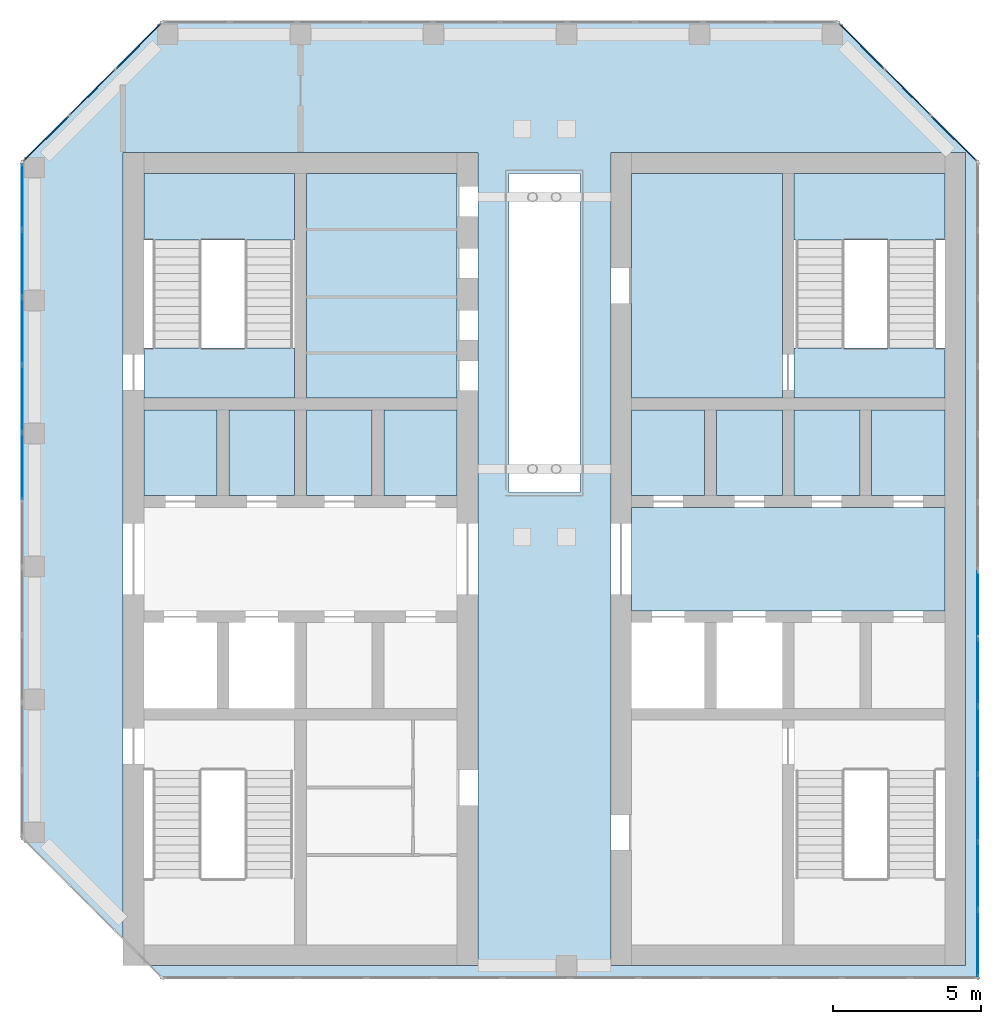
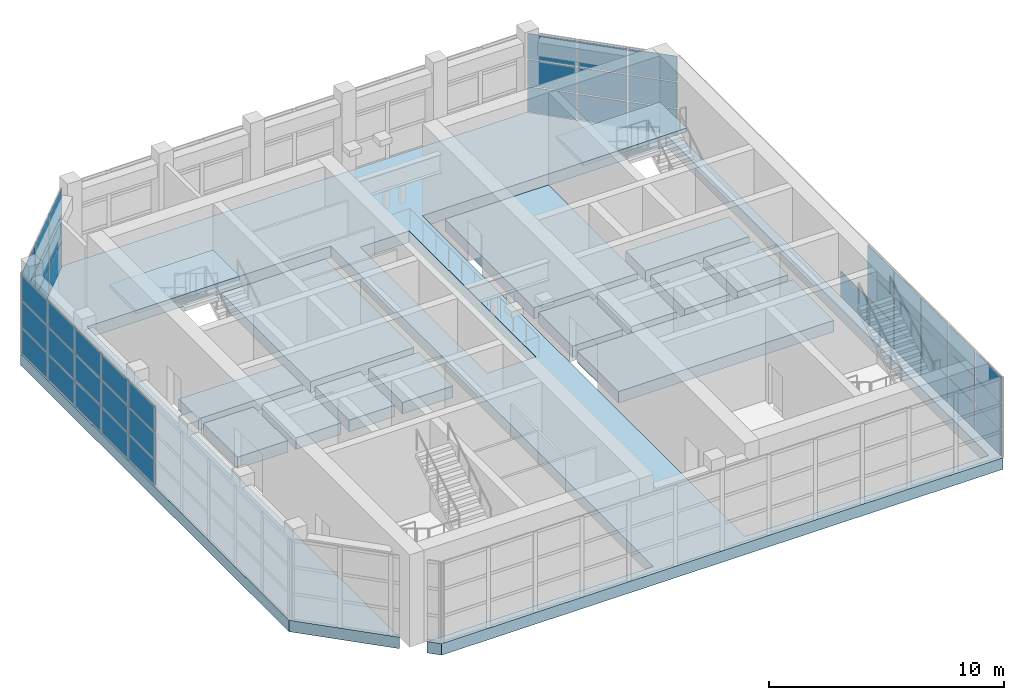
# One storey, part 8 of 13: 49 plates, 16 slabs, 6 elements without a shape of their own.
"""IFC4 building model written with IfcOpenShell, lengths in metres."""

from ifc_helpers import new_model, si_unit, direction, frame, origin, origin_2d, place, context, subcontext, project, spatial, polyline, rectangle, outline, extrude, material, layer, layer_set, type_object, element, aggregate, save


model = new_model("IFC4")

# Units and contexts
model_context = context("Model", 3, precision=1e-05, world=origin(), true_north=direction((0.0, 1.0)))
body_context = subcontext(model_context, "Body", "Model", "MODEL_VIEW")
ifc_project = project(units=[si_unit("LENGTHUNIT", "METRE"), si_unit("AREAUNIT", "SQUARE_METRE"), si_unit("VOLUMEUNIT", "CUBIC_METRE"), si_unit("PLANEANGLEUNIT", "RADIAN"), si_unit("MASSUNIT", "GRAM", prefix="KILO")], contexts=[model_context])

# Site, building, storey
site_placement = place(None, origin())
site = spatial("IfcSite", under=ifc_project, at=site_placement, CompositionType="ELEMENT")
building_placement = place(site_placement, origin())
building = spatial("IfcBuilding", under=site, at=building_placement, Name="Corbel Stack Research Tower", CompositionType="ELEMENT")
storey_placement = place(building_placement, frame((0.0, 0.0, 316.60009765625)))
storey = spatial("IfcBuildingStorey", under=building, at=storey_placement, Name="L71", CompositionType="ELEMENT", Elevation=316.60009765625)

# Curtain wall, plates
ifc_material_1 = material(Name="Aluminium and glass", Category="aluminium")
curtain_wall_type = type_object("IfcCurtainWallType", Name="CW4C damper hall glazing wall, corner", PredefinedType="NOTDEFINED", material=ifc_material_1)
curtain_wall_1_placement = place(storey_placement, origin())
curtain_wall_1 = element("IfcCurtainWall", 1, at=curtain_wall_1_placement, inside=storey, type_object=curtain_wall_type, Name="Damper hall curtain wall L71 2", PredefinedType="NOTDEFINED")
ifc_material_2 = material(Name="Glass, laminated amber tint", Category="glass")
ifc_layer_1 = layer(ifc_material_2, 0.031982421875)
ifc_layer_set_1 = layer_set([ifc_layer_1], Name="Glass, laminated amber tint")
plate_type = type_object("IfcPlateType", Name="CW4 amber laminated glass panel 32", PredefinedType="CURTAIN_PANEL", material=ifc_layer_set_1)
plate_1_placement = place(storey_placement, frame((-13.919921875, 7.892333984375, 0.059814453125), z_axis=(0.0, 0.0, 1.0), x_axis=(0.0, 1.0, 0.0)))
plate_1 = element("IfcPlate", 2, at=plate_1_placement, type_object=plate_type, Name="CW4C panel 6.1", PredefinedType="CURTAIN_PANEL", context=body_context, shape_type="SweptSolid", body=[
    extrude(rectangle(XDim=2.224853515625, YDim=0.031982421875, at=origin_2d()), origin(), (0.0, 0.0, 1.0), 1.31005859375),
])
plate_2_placement = place(storey_placement, frame((-13.919921875, 7.892333984375, 1.4296875), z_axis=(0.0, 0.0, 1.0), x_axis=(0.0, 1.0, 0.0)))
plate_2 = element("IfcPlate", 3, at=plate_2_placement, type_object=plate_type, Name="CW4C panel 6.2", PredefinedType="CURTAIN_PANEL", context=body_context, shape_type="SweptSolid", body=[
    extrude(rectangle(XDim=2.224853515625, YDim=0.031982421875, at=origin_2d()), origin(), (0.0, 0.0, 1.0), 1.340087890625),
])
plate_3_placement = place(storey_placement, frame((-13.919921875, 7.892333984375, 2.829833984375), z_axis=(0.0, 0.0, 1.0), x_axis=(0.0, 1.0, 0.0)))
plate_3 = element("IfcPlate", 4, at=plate_3_placement, type_object=plate_type, Name="CW4C panel 6.3", PredefinedType="CURTAIN_PANEL", context=body_context, shape_type="SweptSolid", body=[
    extrude(rectangle(XDim=2.224853515625, YDim=0.031982421875, at=origin_2d()), origin(), (0.0, 0.0, 1.0), 1.31005859375),
])
plate_4_placement = place(storey_placement, frame((-13.919921875, 10.17724609375, 0.059814453125), z_axis=(0.0, 0.0, 1.0), x_axis=(0.0, 1.0, 0.0)))
plate_4 = element("IfcPlate", 5, at=plate_4_placement, type_object=plate_type, Name="CW4C panel 7.1", PredefinedType="CURTAIN_PANEL", context=body_context, shape_type="SweptSolid", body=[
    extrude(rectangle(XDim=2.224853515625, YDim=0.031982421875, at=origin_2d()), origin(), (0.0, 0.0, 1.0), 1.31005859375),
])
plate_5_placement = place(storey_placement, frame((-13.919921875, 10.17724609375, 1.4296875), z_axis=(0.0, 0.0, 1.0), x_axis=(0.0, 1.0, 0.0)))
plate_5 = element("IfcPlate", 6, at=plate_5_placement, type_object=plate_type, Name="CW4C panel 7.2", PredefinedType="CURTAIN_PANEL", context=body_context, shape_type="SweptSolid", body=[
    extrude(rectangle(XDim=2.224853515625, YDim=0.031982421875, at=origin_2d()), origin(), (0.0, 0.0, 1.0), 1.340087890625),
])
plate_6_placement = place(storey_placement, frame((-13.919921875, 10.17724609375, 2.829833984375), z_axis=(0.0, 0.0, 1.0), x_axis=(0.0, 1.0, 0.0)))
plate_6 = element("IfcPlate", 7, at=plate_6_placement, type_object=plate_type, Name="CW4C panel 7.3", PredefinedType="CURTAIN_PANEL", context=body_context, shape_type="SweptSolid", body=[
    extrude(rectangle(XDim=2.224853515625, YDim=0.031982421875, at=origin_2d()), origin(), (0.0, 0.0, 1.0), 1.31005859375),
])
plate_7_placement = place(storey_placement, frame((-13.919921875, 12.4619140625, 0.059814453125), z_axis=(0.0, 0.0, 1.0), x_axis=(0.0, 1.0, 0.0)))
plate_7 = element("IfcPlate", 8, at=plate_7_placement, type_object=plate_type, Name="CW4C panel 8.1", PredefinedType="CURTAIN_PANEL", context=body_context, shape_type="SweptSolid", body=[
    extrude(rectangle(XDim=2.224853515625, YDim=0.031982421875, at=origin_2d()), origin(), (0.0, 0.0, 1.0), 1.31005859375),
])
plate_8_placement = place(storey_placement, frame((-13.919921875, 12.4619140625, 1.4296875), z_axis=(0.0, 0.0, 1.0), x_axis=(0.0, 1.0, 0.0)))
plate_8 = element("IfcPlate", 9, at=plate_8_placement, type_object=plate_type, Name="CW4C panel 8.2", PredefinedType="CURTAIN_PANEL", context=body_context, shape_type="SweptSolid", body=[
    extrude(rectangle(XDim=2.224853515625, YDim=0.031982421875, at=origin_2d()), origin(), (0.0, 0.0, 1.0), 1.340087890625),
])
plate_9_placement = place(storey_placement, frame((-13.919921875, 12.4619140625, 2.829833984375), z_axis=(0.0, 0.0, 1.0), x_axis=(0.0, 1.0, 0.0)))
plate_9 = element("IfcPlate", 10, at=plate_9_placement, type_object=plate_type, Name="CW4C panel 8.3", PredefinedType="CURTAIN_PANEL", context=body_context, shape_type="SweptSolid", body=[
    extrude(rectangle(XDim=2.224853515625, YDim=0.031982421875, at=origin_2d()), origin(), (0.0, 0.0, 1.0), 1.31005859375),
])
plate_10_placement = place(storey_placement, frame((-13.919921875, 14.746826171875, 0.059814453125), z_axis=(0.0, 0.0, 1.0), x_axis=(0.0, 1.0, 0.0)))
plate_10 = element("IfcPlate", 11, at=plate_10_placement, type_object=plate_type, Name="CW4C panel 9.1", PredefinedType="CURTAIN_PANEL", context=body_context, shape_type="SweptSolid", body=[
    extrude(rectangle(XDim=2.224853515625, YDim=0.031982421875, at=origin_2d()), origin(), (0.0, 0.0, 1.0), 1.31005859375),
])
plate_11_placement = place(storey_placement, frame((-13.919921875, 14.746826171875, 1.4296875), z_axis=(0.0, 0.0, 1.0), x_axis=(0.0, 1.0, 0.0)))
plate_11 = element("IfcPlate", 12, at=plate_11_placement, type_object=plate_type, Name="CW4C panel 9.2", PredefinedType="CURTAIN_PANEL", context=body_context, shape_type="SweptSolid", body=[
    extrude(rectangle(XDim=2.224853515625, YDim=0.031982421875, at=origin_2d()), origin(), (0.0, 0.0, 1.0), 1.340087890625),
])
plate_12_placement = place(storey_placement, frame((-13.919921875, 14.746826171875, 2.829833984375), z_axis=(0.0, 0.0, 1.0), x_axis=(0.0, 1.0, 0.0)))
plate_12 = element("IfcPlate", 13, at=plate_12_placement, type_object=plate_type, Name="CW4C panel 9.3", PredefinedType="CURTAIN_PANEL", context=body_context, shape_type="SweptSolid", body=[
    extrude(rectangle(XDim=2.224853515625, YDim=0.031982421875, at=origin_2d()), origin(), (0.0, 0.0, 1.0), 1.31005859375),
])
plate_13_placement = place(storey_placement, frame((-13.919921875, 17.0166015625, 0.059814453125), z_axis=(0.0, 0.0, 1.0), x_axis=(0.0, 1.0, 0.0)))
plate_13 = element("IfcPlate", 14, at=plate_13_placement, type_object=plate_type, Name="CW4C panel 10.1", PredefinedType="CURTAIN_PANEL", context=body_context, shape_type="SweptSolid", body=[
    extrude(rectangle(XDim=2.19482421875, YDim=0.031982421875, at=origin_2d()), origin(), (0.0, 0.0, 1.0), 1.31005859375),
])
plate_14_placement = place(storey_placement, frame((-13.919921875, 17.0166015625, 1.4296875), z_axis=(0.0, 0.0, 1.0), x_axis=(0.0, 1.0, 0.0)))
plate_14 = element("IfcPlate", 15, at=plate_14_placement, type_object=plate_type, Name="CW4C panel 10.2", PredefinedType="CURTAIN_PANEL", context=body_context, shape_type="SweptSolid", body=[
    extrude(rectangle(XDim=2.19482421875, YDim=0.031982421875, at=origin_2d()), origin(), (0.0, 0.0, 1.0), 1.340087890625),
])
plate_15_placement = place(storey_placement, frame((-13.919921875, 17.0166015625, 2.829833984375), z_axis=(0.0, 0.0, 1.0), x_axis=(0.0, 1.0, 0.0)))
plate_15 = element("IfcPlate", 16, at=plate_15_placement, type_object=plate_type, Name="CW4C panel 10.3", PredefinedType="CURTAIN_PANEL", context=body_context, shape_type="SweptSolid", body=[
    extrude(rectangle(XDim=2.19482421875, YDim=0.031982421875, at=origin_2d()), origin(), (0.0, 0.0, 1.0), 1.31005859375),
])
aggregate(curtain_wall_1, [plate_1, plate_2, plate_3, plate_4, plate_5, plate_6, plate_7, plate_8, plate_9, plate_10, plate_11, plate_12, plate_13, plate_14, plate_15])

curtain_wall_2_placement = place(storey_placement, origin())
curtain_wall_2 = element("IfcCurtainWall", 17, at=curtain_wall_2_placement, inside=storey, type_object=curtain_wall_type, Name="Damper hall curtain wall L71 3", PredefinedType="NOTDEFINED")
plate_16_placement = place(storey_placement, frame((-13.118408203125, 18.9755859375, 0.059814453125), z_axis=(0.0, 0.0, 1.0), x_axis=(0.707106781187, 0.707106781187, 0.0)))
plate_16 = element("IfcPlate", 18, at=plate_16_placement, type_object=plate_type, Name="CW4C panel 1.1", PredefinedType="CURTAIN_PANEL", context=body_context, shape_type="SweptSolid", body=[
    extrude(rectangle(XDim=2.147216796875, YDim=0.031982421875, at=origin_2d()), origin(), (0.0, 0.0, 1.0), 1.31005859375),
])
plate_17_placement = place(storey_placement, frame((-13.118408203125, 18.9755859375, 1.4296875), z_axis=(0.0, 0.0, 1.0), x_axis=(0.707106781187, 0.707106781187, 0.0)))
plate_17 = element("IfcPlate", 19, at=plate_17_placement, type_object=plate_type, Name="CW4C panel 1.2", PredefinedType="CURTAIN_PANEL", context=body_context, shape_type="SweptSolid", body=[
    extrude(rectangle(XDim=2.147216796875, YDim=0.031982421875, at=origin_2d()), origin(), (0.0, 0.0, 1.0), 1.340087890625),
])
plate_18_placement = place(storey_placement, frame((-13.118408203125, 18.9755859375, 2.829833984375), z_axis=(0.0, 0.0, 1.0), x_axis=(0.707106781187, 0.707106781187, 0.0)))
plate_18 = element("IfcPlate", 20, at=plate_18_placement, type_object=plate_type, Name="CW4C panel 1.3", PredefinedType="CURTAIN_PANEL", context=body_context, shape_type="SweptSolid", body=[
    extrude(rectangle(XDim=2.147216796875, YDim=0.031982421875, at=origin_2d()), origin(), (0.0, 0.0, 1.0), 1.31005859375),
])
plate_19_placement = place(storey_placement, frame((-11.547119140625, 20.547119140625, 0.059814453125), z_axis=(0.0, 0.0, 1.0), x_axis=(0.707106781187, 0.707106781187, 0.0)))
plate_19 = element("IfcPlate", 21, at=plate_19_placement, type_object=plate_type, Name="CW4C panel 2.1", PredefinedType="CURTAIN_PANEL", context=body_context, shape_type="SweptSolid", body=[
    extrude(rectangle(XDim=2.17724609375, YDim=0.031982421875, at=origin_2d()), origin(), (0.0, 0.0, 1.0), 1.31005859375),
])
plate_20_placement = place(storey_placement, frame((-11.547119140625, 20.547119140625, 1.4296875), z_axis=(0.0, 0.0, 1.0), x_axis=(0.707106781187, 0.707106781187, 0.0)))
plate_20 = element("IfcPlate", 22, at=plate_20_placement, type_object=plate_type, Name="CW4C panel 2.2", PredefinedType="CURTAIN_PANEL", context=body_context, shape_type="SweptSolid", body=[
    extrude(rectangle(XDim=2.17724609375, YDim=0.031982421875, at=origin_2d()), origin(), (0.0, 0.0, 1.0), 1.340087890625),
])
plate_21_placement = place(storey_placement, frame((-11.547119140625, 20.547119140625, 2.829833984375), z_axis=(0.0, 0.0, 1.0), x_axis=(0.707106781187, 0.707106781187, 0.0)))
plate_21 = element("IfcPlate", 23, at=plate_21_placement, type_object=plate_type, Name="CW4C panel 2.3", PredefinedType="CURTAIN_PANEL", context=body_context, shape_type="SweptSolid", body=[
    extrude(rectangle(XDim=2.17724609375, YDim=0.031982421875, at=origin_2d()), origin(), (0.0, 0.0, 1.0), 1.31005859375),
])
plate_22_placement = place(storey_placement, frame((-9.9755859375, 22.118408203125, 0.059814453125), z_axis=(0.0, 0.0, 1.0), x_axis=(0.707106781187, 0.707106781187, 0.0)))
plate_22 = element("IfcPlate", 24, at=plate_22_placement, type_object=plate_type, Name="CW4C panel 3.1", PredefinedType="CURTAIN_PANEL", context=body_context, shape_type="SweptSolid", body=[
    extrude(rectangle(XDim=2.147216796875, YDim=0.031982421875, at=origin_2d()), origin(), (0.0, 0.0, 1.0), 1.31005859375),
])
plate_23_placement = place(storey_placement, frame((-9.9755859375, 22.118408203125, 1.4296875), z_axis=(0.0, 0.0, 1.0), x_axis=(0.707106781187, 0.707106781187, 0.0)))
plate_23 = element("IfcPlate", 25, at=plate_23_placement, type_object=plate_type, Name="CW4C panel 3.2", PredefinedType="CURTAIN_PANEL", context=body_context, shape_type="SweptSolid", body=[
    extrude(rectangle(XDim=2.147216796875, YDim=0.031982421875, at=origin_2d()), origin(), (0.0, 0.0, 1.0), 1.340087890625),
])
plate_24_placement = place(storey_placement, frame((-9.9755859375, 22.118408203125, 2.829833984375), z_axis=(0.0, 0.0, 1.0), x_axis=(0.707106781187, 0.707106781187, 0.0)))
plate_24 = element("IfcPlate", 26, at=plate_24_placement, type_object=plate_type, Name="CW4C panel 3.3", PredefinedType="CURTAIN_PANEL", context=body_context, shape_type="SweptSolid", body=[
    extrude(rectangle(XDim=2.147216796875, YDim=0.031982421875, at=origin_2d()), origin(), (0.0, 0.0, 1.0), 1.31005859375),
])
aggregate(curtain_wall_2, [plate_16, plate_17, plate_18, plate_19, plate_20, plate_21, plate_22, plate_23, plate_24])

curtain_wall_3_placement = place(storey_placement, origin())
curtain_wall_3 = element("IfcCurtainWall", 27, at=curtain_wall_3_placement, inside=storey, type_object=curtain_wall_type, Name="Damper hall curtain wall L71 5", PredefinedType="NOTDEFINED")
plate_25_placement = place(storey_placement, frame((14.4755859375, 22.118408203125, 0.059814453125), z_axis=(0.0, 0.0, 1.0), x_axis=(0.707106781187, -0.707106781187, 0.0)))
plate_25 = element("IfcPlate", 28, at=plate_25_placement, type_object=plate_type, Name="CW4C panel 1.1", PredefinedType="CURTAIN_PANEL", context=body_context, shape_type="SweptSolid", body=[
    extrude(rectangle(XDim=2.147216796875, YDim=0.031982421875, at=origin_2d()), origin(), (0.0, 0.0, 1.0), 1.31005859375),
])
plate_26_placement = place(storey_placement, frame((14.4755859375, 22.118408203125, 1.4296875), z_axis=(0.0, 0.0, 1.0), x_axis=(0.707106781187, -0.707106781187, 0.0)))
plate_26 = element("IfcPlate", 29, at=plate_26_placement, type_object=plate_type, Name="CW4C panel 1.2", PredefinedType="CURTAIN_PANEL", context=body_context, shape_type="SweptSolid", body=[
    extrude(rectangle(XDim=2.147216796875, YDim=0.031982421875, at=origin_2d()), origin(), (0.0, 0.0, 1.0), 1.340087890625),
])
plate_27_placement = place(storey_placement, frame((14.4755859375, 22.118408203125, 2.829833984375), z_axis=(0.0, 0.0, 1.0), x_axis=(0.707106781187, -0.707106781187, 0.0)))
plate_27 = element("IfcPlate", 30, at=plate_27_placement, type_object=plate_type, Name="CW4C panel 1.3", PredefinedType="CURTAIN_PANEL", context=body_context, shape_type="SweptSolid", body=[
    extrude(rectangle(XDim=2.147216796875, YDim=0.031982421875, at=origin_2d()), origin(), (0.0, 0.0, 1.0), 1.31005859375),
])
plate_28_placement = place(storey_placement, frame((16.047119140625, 20.547119140625, 0.059814453125), z_axis=(0.0, 0.0, 1.0), x_axis=(0.707106781187, -0.707106781187, 0.0)))
plate_28 = element("IfcPlate", 31, at=plate_28_placement, type_object=plate_type, Name="CW4C panel 2.1", PredefinedType="CURTAIN_PANEL", context=body_context, shape_type="SweptSolid", body=[
    extrude(rectangle(XDim=2.17724609375, YDim=0.031982421875, at=origin_2d()), origin(), (0.0, 0.0, 1.0), 1.31005859375),
])
plate_29_placement = place(storey_placement, frame((16.047119140625, 20.547119140625, 1.4296875), z_axis=(0.0, 0.0, 1.0), x_axis=(0.707106781187, -0.707106781187, 0.0)))
plate_29 = element("IfcPlate", 32, at=plate_29_placement, type_object=plate_type, Name="CW4C panel 2.2", PredefinedType="CURTAIN_PANEL", context=body_context, shape_type="SweptSolid", body=[
    extrude(rectangle(XDim=2.17724609375, YDim=0.031982421875, at=origin_2d()), origin(), (0.0, 0.0, 1.0), 1.340087890625),
])
plate_30_placement = place(storey_placement, frame((16.047119140625, 20.547119140625, 2.829833984375), z_axis=(0.0, 0.0, 1.0), x_axis=(0.707106781187, -0.707106781187, 0.0)))
plate_30 = element("IfcPlate", 33, at=plate_30_placement, type_object=plate_type, Name="CW4C panel 2.3", PredefinedType="CURTAIN_PANEL", context=body_context, shape_type="SweptSolid", body=[
    extrude(rectangle(XDim=2.17724609375, YDim=0.031982421875, at=origin_2d()), origin(), (0.0, 0.0, 1.0), 1.31005859375),
])
plate_31_placement = place(storey_placement, frame((17.618408203125, 18.9755859375, 0.059814453125), z_axis=(0.0, 0.0, 1.0), x_axis=(0.707106781187, -0.707106781187, 0.0)))
plate_31 = element("IfcPlate", 34, at=plate_31_placement, type_object=plate_type, Name="CW4C panel 3.1", PredefinedType="CURTAIN_PANEL", context=body_context, shape_type="SweptSolid", body=[
    extrude(rectangle(XDim=2.147216796875, YDim=0.031982421875, at=origin_2d()), origin(), (0.0, 0.0, 1.0), 1.31005859375),
])
plate_32_placement = place(storey_placement, frame((17.618408203125, 18.9755859375, 1.4296875), z_axis=(0.0, 0.0, 1.0), x_axis=(0.707106781187, -0.707106781187, 0.0)))
plate_32 = element("IfcPlate", 35, at=plate_32_placement, type_object=plate_type, Name="CW4C panel 3.2", PredefinedType="CURTAIN_PANEL", context=body_context, shape_type="SweptSolid", body=[
    extrude(rectangle(XDim=2.147216796875, YDim=0.031982421875, at=origin_2d()), origin(), (0.0, 0.0, 1.0), 1.340087890625),
])
plate_33_placement = place(storey_placement, frame((17.618408203125, 18.9755859375, 2.829833984375), z_axis=(0.0, 0.0, 1.0), x_axis=(0.707106781187, -0.707106781187, 0.0)))
plate_33 = element("IfcPlate", 36, at=plate_33_placement, type_object=plate_type, Name="CW4C panel 3.3", PredefinedType="CURTAIN_PANEL", context=body_context, shape_type="SweptSolid", body=[
    extrude(rectangle(XDim=2.147216796875, YDim=0.031982421875, at=origin_2d()), origin(), (0.0, 0.0, 1.0), 1.31005859375),
])
aggregate(curtain_wall_3, [plate_25, plate_26, plate_27, plate_28, plate_29, plate_30, plate_31, plate_32, plate_33])

curtain_wall_4_placement = place(storey_placement, origin())
curtain_wall_4 = element("IfcCurtainWall", 37, at=curtain_wall_4_placement, inside=storey, type_object=curtain_wall_type, Name="Damper hall curtain wall L71 6", PredefinedType="NOTDEFINED")
plate_34_placement = place(storey_placement, frame((18.419921875, 3.227294921875, 0.059814453125), z_axis=(0.0, 0.0, 1.0), x_axis=(0.0, -1.0, 0.0)))
plate_34 = element("IfcPlate", 38, at=plate_34_placement, type_object=plate_type, Name="CW4C panel 7.1", PredefinedType="CURTAIN_PANEL", context=body_context, shape_type="SweptSolid", body=[
    extrude(rectangle(XDim=2.239501953125, YDim=0.031982421875, at=origin_2d()), origin(), (0.0, 0.0, 1.0), 1.31005859375),
])
plate_35_placement = place(storey_placement, frame((18.419921875, 0.927734375, 0.059814453125), z_axis=(0.0, 0.0, 1.0), x_axis=(0.0, -1.0, 0.0)))
plate_35 = element("IfcPlate", 39, at=plate_35_placement, type_object=plate_type, Name="CW4C panel 8.1", PredefinedType="CURTAIN_PANEL", context=body_context, shape_type="SweptSolid", body=[
    extrude(rectangle(XDim=2.239501953125, YDim=0.031982421875, at=origin_2d()), origin(), (0.0, 0.0, 1.0), 1.31005859375),
])
plate_36_placement = place(storey_placement, frame((18.419921875, 0.927734375, 1.4296875), z_axis=(0.0, 0.0, 1.0), x_axis=(0.0, -1.0, 0.0)))
plate_36 = element("IfcPlate", 40, at=plate_36_placement, type_object=plate_type, Name="CW4C panel 8.2", PredefinedType="CURTAIN_PANEL", context=body_context, shape_type="SweptSolid", body=[
    extrude(rectangle(XDim=2.239501953125, YDim=0.031982421875, at=origin_2d()), origin(), (0.0, 0.0, 1.0), 1.340087890625),
])
plate_37_placement = place(storey_placement, frame((18.419921875, 0.927734375, 2.829833984375), z_axis=(0.0, 0.0, 1.0), x_axis=(0.0, -1.0, 0.0)))
plate_37 = element("IfcPlate", 41, at=plate_37_placement, type_object=plate_type, Name="CW4C panel 8.3", PredefinedType="CURTAIN_PANEL", context=body_context, shape_type="SweptSolid", body=[
    extrude(rectangle(XDim=2.239501953125, YDim=0.031982421875, at=origin_2d()), origin(), (0.0, 0.0, 1.0), 1.31005859375),
])
plate_38_placement = place(storey_placement, frame((18.419921875, -1.371826171875, 0.059814453125), z_axis=(0.0, 0.0, 1.0), x_axis=(0.0, -1.0, 0.0)))
plate_38 = element("IfcPlate", 42, at=plate_38_placement, type_object=plate_type, Name="CW4C panel 9.1", PredefinedType="CURTAIN_PANEL", context=body_context, shape_type="SweptSolid", body=[
    extrude(rectangle(XDim=2.239501953125, YDim=0.031982421875, at=origin_2d()), origin(), (0.0, 0.0, 1.0), 1.31005859375),
])
plate_39_placement = place(storey_placement, frame((18.419921875, -1.371826171875, 1.4296875), z_axis=(0.0, 0.0, 1.0), x_axis=(0.0, -1.0, 0.0)))
plate_39 = element("IfcPlate", 43, at=plate_39_placement, type_object=plate_type, Name="CW4C panel 9.2", PredefinedType="CURTAIN_PANEL", context=body_context, shape_type="SweptSolid", body=[
    extrude(rectangle(XDim=2.239501953125, YDim=0.031982421875, at=origin_2d()), origin(), (0.0, 0.0, 1.0), 1.340087890625),
])
plate_40_placement = place(storey_placement, frame((18.419921875, -1.371826171875, 2.829833984375), z_axis=(0.0, 0.0, 1.0), x_axis=(0.0, -1.0, 0.0)))
plate_40 = element("IfcPlate", 44, at=plate_40_placement, type_object=plate_type, Name="CW4C panel 9.3", PredefinedType="CURTAIN_PANEL", context=body_context, shape_type="SweptSolid", body=[
    extrude(rectangle(XDim=2.239501953125, YDim=0.031982421875, at=origin_2d()), origin(), (0.0, 0.0, 1.0), 1.31005859375),
])
plate_41_placement = place(storey_placement, frame((18.419921875, -3.671142578125, 0.059814453125), z_axis=(0.0, 0.0, 1.0), x_axis=(0.0, -1.0, 0.0)))
plate_41 = element("IfcPlate", 45, at=plate_41_placement, type_object=plate_type, Name="CW4C panel 10.1", PredefinedType="CURTAIN_PANEL", context=body_context, shape_type="SweptSolid", body=[
    extrude(rectangle(XDim=2.239501953125, YDim=0.031982421875, at=origin_2d()), origin(), (0.0, 0.0, 1.0), 1.31005859375),
])
plate_42_placement = place(storey_placement, frame((18.419921875, -3.671142578125, 1.4296875), z_axis=(0.0, 0.0, 1.0), x_axis=(0.0, -1.0, 0.0)))
plate_42 = element("IfcPlate", 46, at=plate_42_placement, type_object=plate_type, Name="CW4C panel 10.2", PredefinedType="CURTAIN_PANEL", context=body_context, shape_type="SweptSolid", body=[
    extrude(rectangle(XDim=2.239501953125, YDim=0.031982421875, at=origin_2d()), origin(), (0.0, 0.0, 1.0), 1.340087890625),
])
plate_43_placement = place(storey_placement, frame((18.419921875, -3.671142578125, 2.829833984375), z_axis=(0.0, 0.0, 1.0), x_axis=(0.0, -1.0, 0.0)))
plate_43 = element("IfcPlate", 47, at=plate_43_placement, type_object=plate_type, Name="CW4C panel 10.3", PredefinedType="CURTAIN_PANEL", context=body_context, shape_type="SweptSolid", body=[
    extrude(rectangle(XDim=2.239501953125, YDim=0.031982421875, at=origin_2d()), origin(), (0.0, 0.0, 1.0), 1.31005859375),
])
plate_44_placement = place(storey_placement, frame((18.419921875, -5.970703125, 0.059814453125), z_axis=(0.0, 0.0, 1.0), x_axis=(0.0, -1.0, 0.0)))
plate_44 = element("IfcPlate", 48, at=plate_44_placement, type_object=plate_type, Name="CW4C panel 11.1", PredefinedType="CURTAIN_PANEL", context=body_context, shape_type="SweptSolid", body=[
    extrude(rectangle(XDim=2.239501953125, YDim=0.031982421875, at=origin_2d()), origin(), (0.0, 0.0, 1.0), 1.31005859375),
])
plate_45_placement = place(storey_placement, frame((18.419921875, -5.970703125, 1.4296875), z_axis=(0.0, 0.0, 1.0), x_axis=(0.0, -1.0, 0.0)))
plate_45 = element("IfcPlate", 49, at=plate_45_placement, type_object=plate_type, Name="CW4C panel 11.2", PredefinedType="CURTAIN_PANEL", context=body_context, shape_type="SweptSolid", body=[
    extrude(rectangle(XDim=2.239501953125, YDim=0.031982421875, at=origin_2d()), origin(), (0.0, 0.0, 1.0), 1.340087890625),
])
plate_46_placement = place(storey_placement, frame((18.419921875, -5.970703125, 2.829833984375), z_axis=(0.0, 0.0, 1.0), x_axis=(0.0, -1.0, 0.0)))
plate_46 = element("IfcPlate", 50, at=plate_46_placement, type_object=plate_type, Name="CW4C panel 11.3", PredefinedType="CURTAIN_PANEL", context=body_context, shape_type="SweptSolid", body=[
    extrude(rectangle(XDim=2.239501953125, YDim=0.031982421875, at=origin_2d()), origin(), (0.0, 0.0, 1.0), 1.31005859375),
])
plate_47_placement = place(storey_placement, frame((18.419921875, -8.25537109375, 0.059814453125), z_axis=(0.0, 0.0, 1.0), x_axis=(0.0, -1.0, 0.0)))
plate_47 = element("IfcPlate", 51, at=plate_47_placement, type_object=plate_type, Name="CW4C panel 12.1", PredefinedType="CURTAIN_PANEL", context=body_context, shape_type="SweptSolid", body=[
    extrude(rectangle(XDim=2.20947265625, YDim=0.031982421875, at=origin_2d()), origin(), (0.0, 0.0, 1.0), 1.31005859375),
])
plate_48_placement = place(storey_placement, frame((18.419921875, -8.25537109375, 1.4296875), z_axis=(0.0, 0.0, 1.0), x_axis=(0.0, -1.0, 0.0)))
plate_48 = element("IfcPlate", 52, at=plate_48_placement, type_object=plate_type, Name="CW4C panel 12.2", PredefinedType="CURTAIN_PANEL", context=body_context, shape_type="SweptSolid", body=[
    extrude(rectangle(XDim=2.20947265625, YDim=0.031982421875, at=origin_2d()), origin(), (0.0, 0.0, 1.0), 1.340087890625),
])
plate_49_placement = place(storey_placement, frame((18.419921875, -8.25537109375, 2.829833984375), z_axis=(0.0, 0.0, 1.0), x_axis=(0.0, -1.0, 0.0)))
plate_49 = element("IfcPlate", 53, at=plate_49_placement, type_object=plate_type, Name="CW4C panel 12.3", PredefinedType="CURTAIN_PANEL", context=body_context, shape_type="SweptSolid", body=[
    extrude(rectangle(XDim=2.20947265625, YDim=0.031982421875, at=origin_2d()), origin(), (0.0, 0.0, 1.0), 1.31005859375),
])
aggregate(curtain_wall_4, [plate_34, plate_35, plate_36, plate_37, plate_38, plate_39, plate_40, plate_41, plate_42, plate_43, plate_44, plate_45, plate_46, plate_47, plate_48, plate_49])

# Slabs
ifc_material_3 = material(Name="Concrete C45/55", Category="concrete")
ifc_layer_2 = layer(ifc_material_3, 0.60009765625)
ifc_layer_set_2 = layer_set([ifc_layer_2], Name="Concrete C45/55")
slab_type_1 = type_object("IfcSlabType", Name="PT-600", PredefinedType="FLOOR", material=ifc_layer_set_2)
slab_1_placement = place(storey_placement, frame((0.0, 0.0, -0.60009765625)))
element("IfcSlab", 54, at=slab_1_placement, inside=storey, type_object=slab_type_1, Name="West core floor L71", PredefinedType="FLOOR", context=body_context, shape_type="SweptSolid", body=[
    extrude(outline(polyline([(-9.800048828125, 6.89990234375), (-7.324951171875, 6.89990234375), (-7.324951171875, 9.800048828125), (-9.800048828125, 9.800048828125), (-9.800048828125, 6.89990234375)])), origin(), (0.0, 0.0, 1.0), 0.60009765625),
])
slab_2_placement = place(storey_placement, frame((0.0, 0.0, -0.60009765625)))
element("IfcSlab", 55, at=slab_2_placement, inside=storey, type_object=slab_type_1, Name="West core floor L71", PredefinedType="FLOOR", context=body_context, shape_type="SweptSolid", body=[
    extrude(outline(polyline([(-6.925048828125, 6.89990234375), (-4.699951171875, 6.89990234375), (-4.699951171875, 9.800048828125), (-6.925048828125, 9.800048828125), (-6.925048828125, 6.89990234375)])), origin(), (0.0, 0.0, 1.0), 0.60009765625),
])
slab_3_placement = place(storey_placement, frame((0.0, 0.0, -0.60009765625)))
element("IfcSlab", 56, at=slab_3_placement, inside=storey, type_object=slab_type_1, Name="West core floor L71", PredefinedType="FLOOR", context=body_context, shape_type="SweptSolid", body=[
    extrude(outline(polyline([(-2.074951171875, 6.89990234375), (-2.074951171875, 9.800048828125), (-4.300048828125, 9.800048828125), (-4.300048828125, 6.89990234375), (-2.074951171875, 6.89990234375)])), origin(), (0.0, 0.0, 1.0), 0.60009765625),
])
slab_4_placement = place(storey_placement, frame((0.0, 0.0, -0.60009765625)))
element("IfcSlab", 57, at=slab_4_placement, inside=storey, type_object=slab_type_1, Name="West core floor L71", PredefinedType="FLOOR", context=body_context, shape_type="SweptSolid", body=[
    extrude(outline(polyline([(-4.300048828125, 17.800048828125), (-4.300048828125, 10.199951171875), (0.800048828125, 10.199951171875), (0.800048828125, 17.800048828125), (-4.300048828125, 17.800048828125)])), origin(), (0.0, 0.0, 1.0), 0.60009765625),
])
slab_5_placement = place(storey_placement, frame((0.0, 0.0, -0.60009765625)))
element("IfcSlab", 58, at=slab_5_placement, inside=storey, type_object=slab_type_1, Name="West core floor L71", PredefinedType="FLOOR", context=body_context, shape_type="SweptSolid", body=[
    extrude(outline(polyline([(0.800048828125, 6.89990234375), (0.800048828125, 9.800048828125), (-1.675048828125, 9.800048828125), (-1.675048828125, 6.89990234375), (0.800048828125, 6.89990234375)])), origin(), (0.0, 0.0, 1.0), 0.60009765625),
])
slab_6_placement = place(storey_placement, frame((0.0, 0.0, -0.60009765625)))
element("IfcSlab", 59, at=slab_6_placement, inside=storey, type_object=slab_type_1, Name="East core floor L71", PredefinedType="FLOOR", context=body_context, shape_type="SweptSolid", body=[
    extrude(outline(polyline([(6.699951171875, 3.0), (17.300048828125, 3.0), (17.300048828125, 6.5), (6.699951171875, 6.5), (6.699951171875, 3.0)])), origin(), (0.0, 0.0, 1.0), 0.60009765625),
])
slab_7_placement = place(storey_placement, frame((0.0, 0.0, -0.60009765625)))
element("IfcSlab", 60, at=slab_7_placement, inside=storey, type_object=slab_type_1, Name="East core floor L71", PredefinedType="FLOOR", context=body_context, shape_type="SweptSolid", body=[
    extrude(outline(polyline([(6.699951171875, 6.89990234375), (9.175048828125, 6.89990234375), (9.175048828125, 9.800048828125), (6.699951171875, 9.800048828125), (6.699951171875, 6.89990234375)])), origin(), (0.0, 0.0, 1.0), 0.60009765625),
])
slab_8_placement = place(storey_placement, frame((0.0, 0.0, -0.60009765625)))
element("IfcSlab", 61, at=slab_8_placement, inside=storey, type_object=slab_type_1, Name="East core floor L71", PredefinedType="FLOOR", context=body_context, shape_type="SweptSolid", body=[
    extrude(outline(polyline([(6.699951171875, 10.199951171875), (11.800048828125, 10.199951171875), (11.800048828125, 17.800048828125), (6.699951171875, 17.800048828125), (6.699951171875, 10.199951171875)])), origin(), (0.0, 0.0, 1.0), 0.60009765625),
])
slab_9_placement = place(storey_placement, frame((0.0, 0.0, -0.60009765625)))
element("IfcSlab", 62, at=slab_9_placement, inside=storey, type_object=slab_type_1, Name="East core floor L71", PredefinedType="FLOOR", context=body_context, shape_type="SweptSolid", body=[
    extrude(outline(polyline([(9.574951171875, 6.89990234375), (11.800048828125, 6.89990234375), (11.800048828125, 9.800048828125), (9.574951171875, 9.800048828125), (9.574951171875, 6.89990234375)])), origin(), (0.0, 0.0, 1.0), 0.60009765625),
])
slab_10_placement = place(storey_placement, frame((0.0, 0.0, -0.60009765625)))
element("IfcSlab", 63, at=slab_10_placement, inside=storey, type_object=slab_type_1, Name="East core floor L71", PredefinedType="FLOOR", context=body_context, shape_type="SweptSolid", body=[
    extrude(outline(polyline([(14.425048828125, 6.89990234375), (14.425048828125, 9.800048828125), (12.199951171875, 9.800048828125), (12.199951171875, 6.89990234375), (14.425048828125, 6.89990234375)])), origin(), (0.0, 0.0, 1.0), 0.60009765625),
])
slab_11_placement = place(storey_placement, frame((0.0, 0.0, -0.60009765625)))
element("IfcSlab", 64, at=slab_11_placement, inside=storey, type_object=slab_type_1, Name="East core floor L71", PredefinedType="FLOOR", context=body_context, shape_type="SweptSolid", body=[
    extrude(outline(polyline([(17.300048828125, 6.89990234375), (17.300048828125, 9.800048828125), (14.824951171875, 9.800048828125), (14.824951171875, 6.89990234375), (17.300048828125, 6.89990234375)])), origin(), (0.0, 0.0, 1.0), 0.60009765625),
])
slab_12_placement = place(storey_placement, frame((0.0, 0.0, -0.60009765625)))
element("IfcSlab", 65, at=slab_12_placement, inside=storey, type_object=slab_type_1, Name="Floor slab L71", PredefinedType="FLOOR", context=body_context, shape_type="SweptSolid", body=[
    extrude(outline(polyline([(-10.5, -8.136474609375), (-10.5, 18.5), (1.5, 18.5), (1.5, -9.0), (-9.636474609375, -9.0), (-9.186279296875, -9.449951171875), (18.449951171875, -9.449951171875), (18.449951171875, 18.186279296875), (13.686279296875, 22.949951171875), (-9.186279296875, 22.949951171875), (-13.949951171875, 18.186279296875), (-13.949951171875, -4.686279296875), (-10.5, -8.136474609375)]), holes=[polyline([(6.0, -9.0), (6.0, 18.5), (18.0, 18.5), (18.0, -9.0), (6.0, -9.0)]), polyline([(4.949951171875, 7.0), (2.550048828125, 7.0), (2.550048828125, 17.800048828125), (4.949951171875, 17.800048828125), (4.949951171875, 7.0)])]), origin(), (0.0, 0.0, 1.0), 0.60009765625),
])
slab_13_placement = place(storey_placement, frame((0.0, 0.0, -0.60009765625)))
element("IfcSlab", 66, at=slab_13_placement, inside=storey, type_object=slab_type_1, Name="Stair floor landing ST-W2", PredefinedType="FLOOR", context=body_context, shape_type="SweptSolid", body=[
    extrude(outline(polyline([(-9.800048828125, 10.199951171875), (-4.699951171875, 10.199951171875), (-4.699951171875, 11.89990234375), (-9.800048828125, 11.89990234375), (-9.800048828125, 10.199951171875)])), origin(), (0.0, 0.0, 1.0), 0.60009765625),
])
slab_14_placement = place(storey_placement, frame((0.0, 0.0, -0.60009765625)))
element("IfcSlab", 67, at=slab_14_placement, inside=storey, type_object=slab_type_1, Name="Stair floor landing ST-E2", PredefinedType="FLOOR", context=body_context, shape_type="SweptSolid", body=[
    extrude(outline(polyline([(12.199951171875, 10.199951171875), (17.300048828125, 10.199951171875), (17.300048828125, 11.89990234375), (12.199951171875, 11.89990234375), (12.199951171875, 10.199951171875)])), origin(), (0.0, 0.0, 1.0), 0.60009765625),
])

# Stair, slab
ifc_material_4 = material(Name="Concrete C40/50", Category="concrete")
stair_type = type_object("IfcStairType", Name="Exit stair 28 risers", PredefinedType="HALF_TURN_STAIR", material=ifc_material_4)
stair_1_placement = place(storey_placement, origin())
stair_1 = element("IfcStair", 68, at=stair_1_placement, inside=storey, type_object=stair_type, Name="L71 Exit stair ST-W2", PredefinedType="HALF_TURN_STAIR")
ifc_material_5 = material(Name="Concrete C40/50", Category="concrete")
ifc_layer_3 = layer(ifc_material_5, 0.199951171875)
ifc_layer_set_3 = layer_set([ifc_layer_3], Name="Concrete C40/50")
slab_type_2 = type_object("IfcSlabType", Name="Stair landing 200 C40/50", PredefinedType="LANDING", material=ifc_layer_set_3)
slab_15_placement = place(storey_placement, frame((0.0, 0.0, 2.199951171875)))
slab_15 = element("IfcSlab", 69, at=slab_15_placement, type_object=slab_type_2, Name="ST-W2 landing 1", PredefinedType="LANDING", context=body_context, shape_type="SweptSolid", body=[
    extrude(outline(polyline([(-9.800048828125, 15.5400390625), (-9.800048828125, 17.800048828125), (-4.699951171875, 17.800048828125), (-4.699951171875, 15.5400390625), (-9.800048828125, 15.5400390625)])), origin(), (0.0, 0.0, 1.0), 0.199951171875),
])
aggregate(stair_1, [slab_15])

stair_2_placement = place(storey_placement, origin())
stair_2 = element("IfcStair", 70, at=stair_2_placement, inside=storey, type_object=stair_type, Name="L71 Exit stair ST-E2", PredefinedType="HALF_TURN_STAIR")
slab_16_placement = place(storey_placement, frame((0.0, 0.0, 2.199951171875)))
slab_16 = element("IfcSlab", 71, at=slab_16_placement, type_object=slab_type_2, Name="ST-E2 landing 1", PredefinedType="LANDING", context=body_context, shape_type="SweptSolid", body=[
    extrude(outline(polyline([(12.199951171875, 15.5400390625), (12.199951171875, 17.800048828125), (17.300048828125, 17.800048828125), (17.300048828125, 15.5400390625), (12.199951171875, 15.5400390625)])), origin(), (0.0, 0.0, 1.0), 0.199951171875),
])
aggregate(stair_2, [slab_16])

save(model, "model.ifc")
